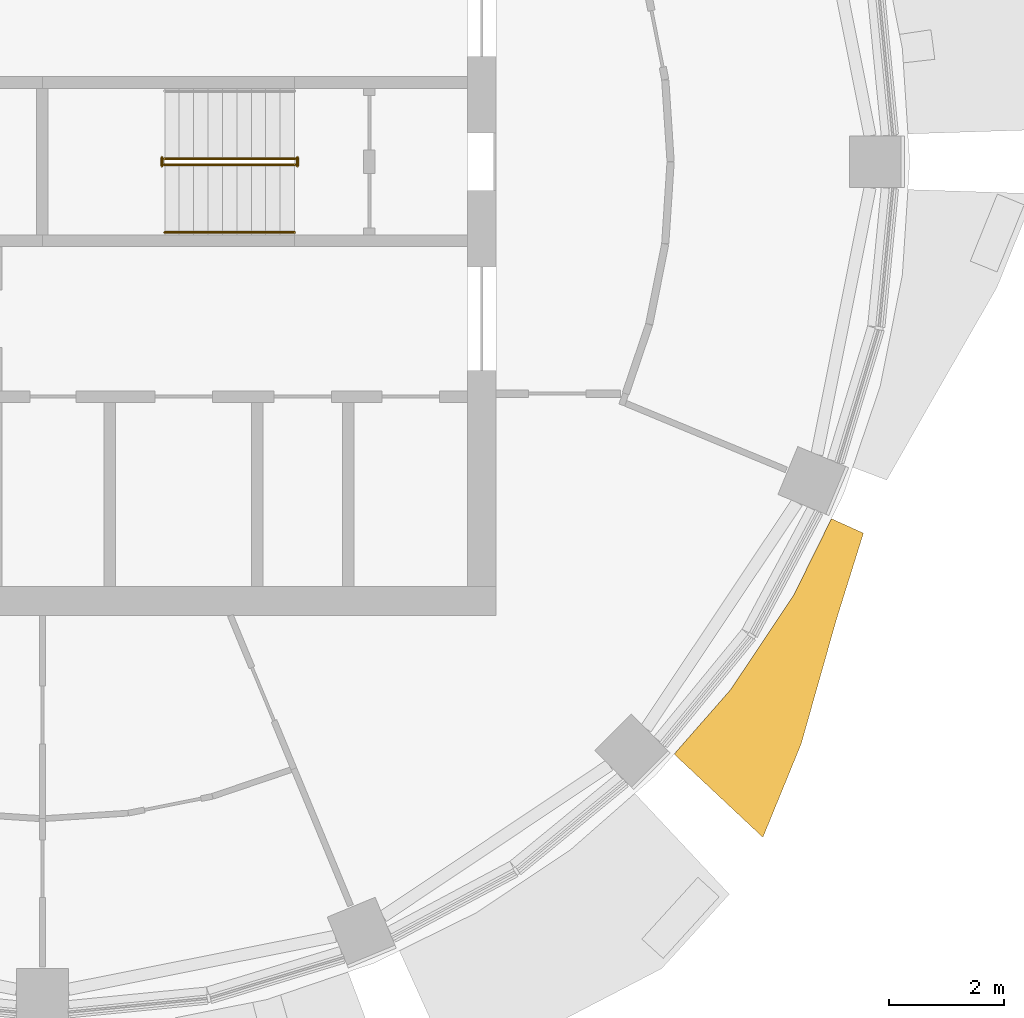
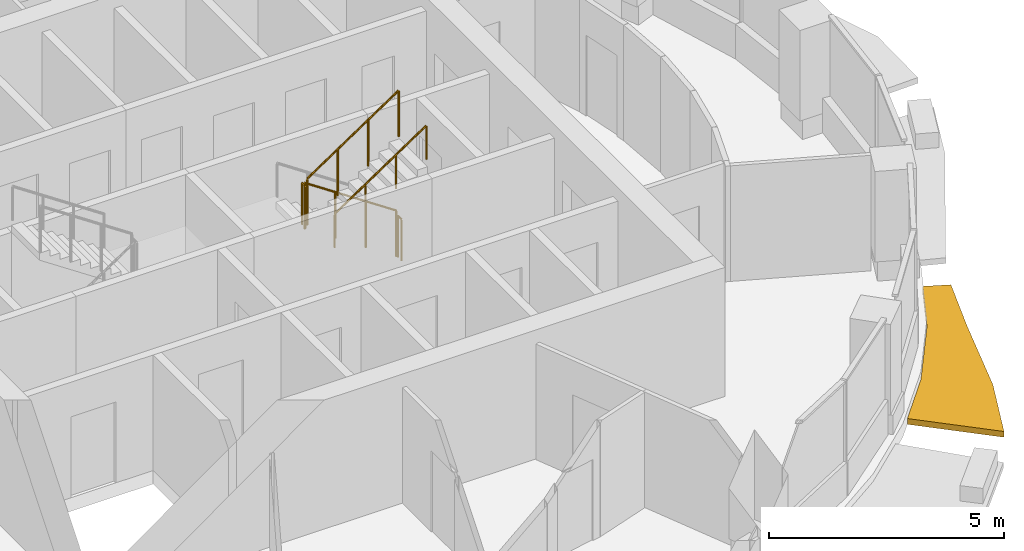
# One storey, part 12 of 14: 5 railings, 1 shading device.
"""IFC4 building model written with IfcOpenShell, lengths in metres."""

from ifc_helpers import new_model, si_unit, direction, frame, origin, origin_2d, place, context, subcontext, project, spatial, polyline, circle, outline, extrude, material, type_object, element, save


model = new_model("IFC4")

# Units and contexts
model_context = context("Model", 3, precision=1e-05, world=origin(), true_north=direction((0.0, 1.0)))
body_context = subcontext(model_context, "Body", "Model", "MODEL_VIEW")
ifc_project = project(units=[si_unit("LENGTHUNIT", "METRE"), si_unit("AREAUNIT", "SQUARE_METRE"), si_unit("VOLUMEUNIT", "CUBIC_METRE"), si_unit("PLANEANGLEUNIT", "RADIAN"), si_unit("MASSUNIT", "GRAM", prefix="KILO")], contexts=[model_context])

# Site, building, storey
site_placement = place(None, origin())
site = spatial("IfcSite", under=ifc_project, at=site_placement, CompositionType="ELEMENT")
building_placement = place(site_placement, origin())
building = spatial("IfcBuilding", under=site, at=building_placement, Name="Polderwave Tower", CompositionType="ELEMENT")
storey_placement = place(building_placement, frame((0.0, 0.0, 227.85009765625)))
storey = spatial("IfcBuildingStorey", under=building, at=storey_placement, Name="L62", CompositionType="ELEMENT", Elevation=227.85009765625)

# Railings
ifc_material_1 = material(Name="Stainless steel", Category="steel")
railing_type_1 = type_object("IfcRailingType", Name="Stair guard 1100", PredefinedType="GUARDRAIL", material=ifc_material_1)
railing_1_placement = place(storey_placement, frame((4.3740234375, 0.051025390625, 0.04736328125)))
element("IfcRailing", 1, at=railing_1_placement, inside=storey, type_object=railing_type_1, Name="L62 ST-B stair guard 1", PredefinedType="GUARDRAIL", context=body_context, shape_type="SweptSolid", body=[
    extrude(circle(Radius=0.02392578125, at=origin_2d()), frame((0.0, 0.0, 1.1962890625), z_axis=(-0.830799990696, 0.0, 0.556571087517), x_axis=(0.0, -1.0, 0.0)), (0.0, 0.0, 1.0), 2.708251953125),
    extrude(circle(Radius=0.02392578125, at=origin_2d()), origin(), (0.0, 0.0, 1.0), 1.172119140625),
    extrude(circle(Radius=0.02392578125, at=origin_2d()), frame((-0.75, 0.0, 0.50244140625)), (0.0, 0.0, 1.0), 1.172119140625),
    extrude(circle(Radius=0.02392578125, at=origin_2d()), frame((-1.5, 0.0, 1.0048828125)), (0.0, 0.0, 1.0), 1.172119140625),
    extrude(circle(Radius=0.02392578125, at=origin_2d()), frame((-2.25, 0.0, 1.50732421875)), (0.0, 0.0, 1.0), 1.172119140625),
])
railing_2_placement = place(storey_placement, frame((2.073974609375, 0.074951171875, 1.6748046875)))
element("IfcRailing", 2, at=railing_2_placement, inside=storey, type_object=railing_type_1, Name="L62 ST-B stair guard 2", PredefinedType="GUARDRAIL", context=body_context, shape_type="SweptSolid", body=[
    extrude(circle(Radius=0.02392578125, at=origin_2d()), frame((0.0, 0.0, 1.076171875), z_axis=(0.0, -1.0, 0.0), x_axis=(1.0, 0.0, 0.0)), (0.0, 0.0, 1.0), 0.14990234375),
    extrude(circle(Radius=0.02099609375, at=origin_2d()), origin(), (0.0, 0.0, 1.0), 1.052001953125),
    extrude(circle(Radius=0.02099609375, at=origin_2d()), frame((0.0, -0.14990234375, 0.0)), (0.0, 0.0, 1.0), 1.052001953125),
])
railing_3_placement = place(storey_placement, frame((2.1240234375, -0.051025390625, 1.72216796875)))
element("IfcRailing", 3, at=railing_3_placement, inside=storey, type_object=railing_type_1, Name="L62 ST-B stair guard 3", PredefinedType="GUARDRAIL", context=body_context, shape_type="SweptSolid", body=[
    extrude(circle(Radius=0.02392578125, at=origin_2d()), frame((0.0, 0.0, 1.1962890625), z_axis=(0.830758306289, 0.0, 0.556633305266), x_axis=(0.0, 1.0, 0.0)), (0.0, 0.0, 1.0), 2.708251953125),
    extrude(circle(Radius=0.02392578125, at=origin_2d()), origin(), (0.0, 0.0, 1.0), 1.172119140625),
    extrude(circle(Radius=0.02392578125, at=origin_2d()), frame((0.75, 0.0, 0.50244140625)), (0.0, 0.0, 1.0), 1.172119140625),
    extrude(circle(Radius=0.02392578125, at=origin_2d()), frame((1.5, 0.0, 1.005126953125)), (0.0, 0.0, 1.0), 1.172119140625),
    extrude(circle(Radius=0.02392578125, at=origin_2d()), frame((2.25, 0.0, 1.507568359375)), (0.0, 0.0, 1.0), 1.172119140625),
])
railing_4_placement = place(storey_placement, frame((4.424072265625, 0.074951171875, 0.0)))
element("IfcRailing", 4, at=railing_4_placement, inside=storey, type_object=railing_type_1, Name="L62 ST-B stair guard 4", PredefinedType="GUARDRAIL", context=body_context, shape_type="SweptSolid", body=[
    extrude(circle(Radius=0.02392578125, at=origin_2d()), frame((0.0, 0.0, 1.076171875), z_axis=(0.0, -1.0, 0.0), x_axis=(1.0, 0.0, 0.0)), (0.0, 0.0, 1.0), 0.14990234375),
    extrude(circle(Radius=0.02099609375, at=origin_2d()), origin(), (0.0, 0.0, 1.0), 1.052001953125),
    extrude(circle(Radius=0.02099609375, at=origin_2d()), frame((0.0, -0.14990234375, 0.0)), (0.0, 0.0, 1.0), 1.052001953125),
])
railing_type_2 = type_object("IfcRailingType", Name="Stair handrail 900", PredefinedType="HANDRAIL", material=ifc_material_1)
railing_5_placement = place(storey_placement, frame((2.1240234375, -1.22509765625, 1.84228515625)))
element("IfcRailing", 5, at=railing_5_placement, inside=storey, type_object=railing_type_2, Name="L62 ST-B stair handrail 2", PredefinedType="HANDRAIL", context=body_context, shape_type="SweptSolid", body=[
    extrude(circle(Radius=0.02392578125, at=origin_2d()), frame((0.0, 0.0, 0.8759765625), z_axis=(0.830758306289, 0.0, 0.556633305266), x_axis=(0.0, 1.0, 0.0)), (0.0, 0.0, 1.0), 2.708251953125),
    extrude(circle(Radius=0.02099609375, at=origin_2d()), origin(), (0.0, 0.0, 1.0), 0.851806640625),
    extrude(circle(Radius=0.02099609375, at=origin_2d()), frame((0.75, 0.0, 0.50244140625)), (0.0, 0.0, 1.0), 0.851806640625),
    extrude(circle(Radius=0.02099609375, at=origin_2d()), frame((1.5, 0.0, 1.005126953125)), (0.0, 0.0, 1.0), 0.851806640625),
    extrude(circle(Radius=0.02099609375, at=origin_2d()), frame((2.25, 0.0, 1.507568359375)), (0.0, 0.0, 1.0), 0.851806640625),
])

# Shading device
ifc_material_2 = material(Name="Terracotta", Category="masonry")
shading_device_type = type_object("IfcShadingDeviceType", Name="Terracotta sunshade band", PredefinedType="USERDEFINED", material=ifc_material_2)
shading_device_placement = place(storey_placement, frame((0.0, 0.0, -0.35009765625)))
element("IfcShadingDevice", 6, at=shading_device_placement, inside=storey, type_object=shading_device_type, Name="Sunshade band L62 15", ObjectType="SUNSHADE", PredefinedType="USERDEFINED", context=body_context, shape_type="SweptSolid", body=[
    extrude(outline(polyline([(10.9609375, -10.2783203125), (11.93994140625, -9.161865234375), (13.03369140625, -7.52490234375), (13.6904296875, -6.193359375), (14.24560546875, -6.4443359375), (13.773681640625, -7.952392578125), (13.1650390625, -10.101806640625), (12.501220703125, -11.722412109375), (10.9609375, -10.2783203125)])), origin(), (0.0, 0.0, 1.0), 0.14990234375),
])

save(model, "model.ifc")
